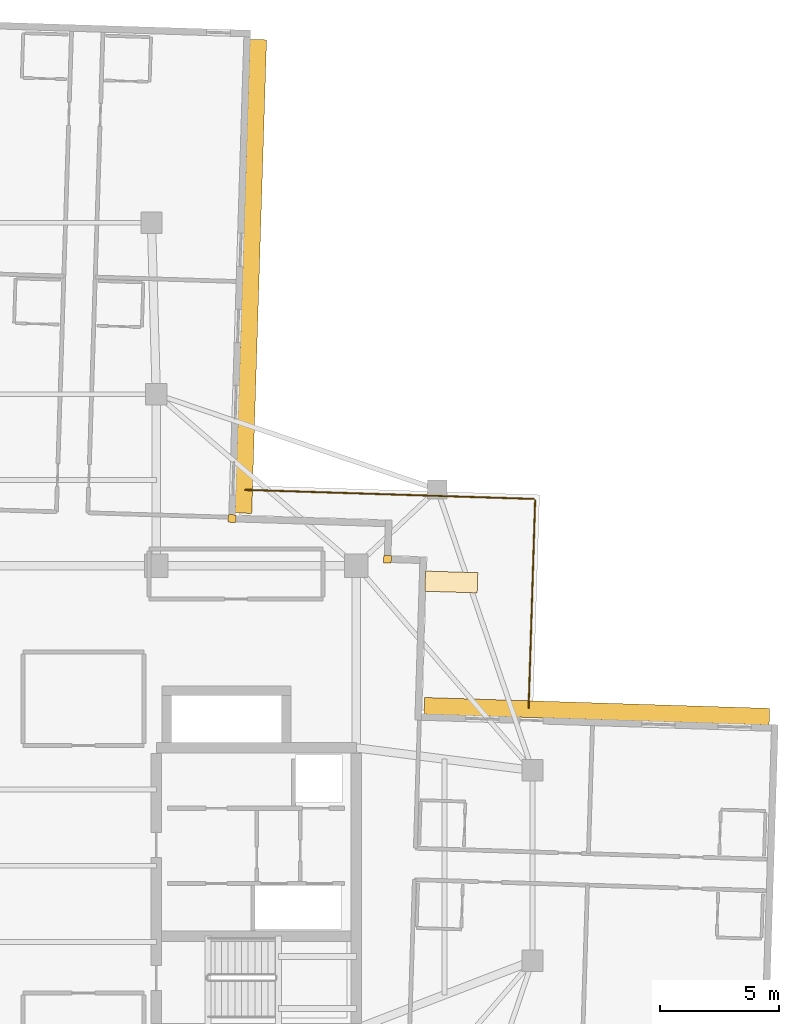
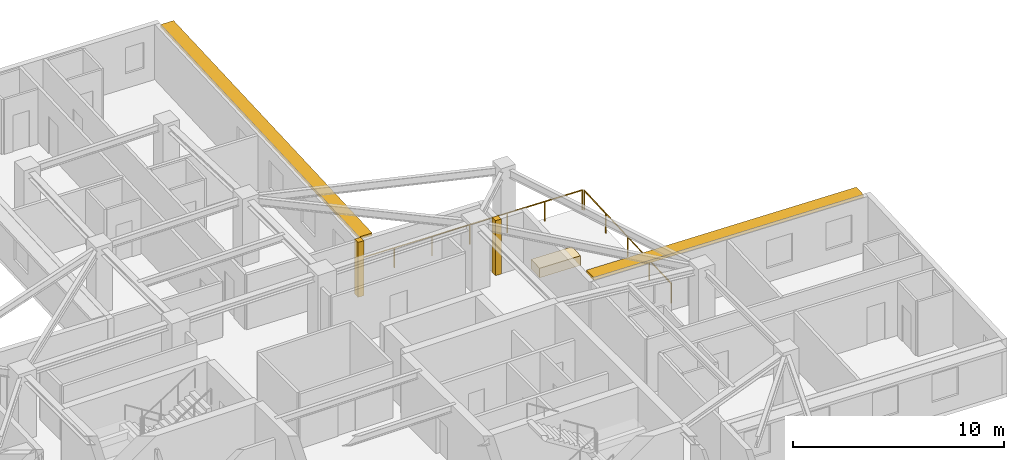
# One storey, part 12 of 12: 3 coverings, 2 railings, 2 shading devices.
"""IFC4 building model written with IfcOpenShell, lengths in metres."""

import ifcopenshell
import ifcopenshell.guid

model = None  # the IFC model being written
_history = None  # IfcOwnerHistory: only IFC2X3 demands one
_inside = {}  # id of a spatial element -> (the spatial element, [elements in it])
_under = {}  # id of a project, library or spatial element -> (it, [spatial elements below it])
_declared = {}  # id of a project -> (the project, [libraries it declares])
_typed = {}  # id of a type object -> (the type object, [elements of that type])
_made_of = {}  # id of a material, layer set ... -> (it, [elements and type objects made of it])


def new_model(schema):
    """Start an empty IFC model of exactly this schema.

    Asked for "IFC4X3", IfcOpenShell would pick the latest addendum, in which some entities
    have other attributes; the version numbers below select the first issue.
    IFC2X3 requires an IfcOwnerHistory on every rooted entity: one is made here for all.
    """
    global model, _history
    if schema == "IFC4X3":
        model = ifcopenshell.file(schema_version=(4, 3, 0, 0))
    else:
        model = ifcopenshell.file(schema=schema)
    _inside.clear()
    _under.clear()
    _declared.clear()
    _typed.clear()
    _made_of.clear()
    _history = None
    if model.schema == "IFC2X3":
        org = make("IfcOrganization", Name="unknown")
        user = make(
            "IfcPersonAndOrganization",
            ThePerson=make("IfcPerson", FamilyName="unknown"),
            TheOrganization=org,
        )
        app = make(
            "IfcApplication",
            ApplicationDeveloper=org,
            Version="unknown",
            ApplicationFullName="unknown",
            ApplicationIdentifier="unknown",
        )
        _history = make(
            "IfcOwnerHistory",
            OwningUser=user,
            OwningApplication=app,
            ChangeAction="ADDED",
            CreationDate=0,
        )
    return model


def make(cls, **values):
    """One entity of the class cls with the attributes given. An attribute that is None is left unset."""
    return model.create_entity(
        cls, **{name: value for name, value in values.items() if value is not None}
    )


def rooted(cls, **values):
    """An entity with a GlobalId (a new one), such as an element, a storey or a relation."""
    return make(cls, GlobalId=ifcopenshell.guid.new(), OwnerHistory=_history, **values)


def si_unit(unit_type, name, prefix=None):
    """IfcSIUnit, for example si_unit("LENGTHUNIT", "METRE", prefix="MILLI")."""
    return make("IfcSIUnit", UnitType=unit_type, Prefix=prefix, Name=name)


def assignment(units):
    """IfcUnitAssignment: the units of a project."""
    return None if units is None else make("IfcUnitAssignment", Units=units)


def point(xyz):
    """IfcCartesianPoint."""
    return None if xyz is None else make("IfcCartesianPoint", Coordinates=xyz)


def direction(xyz):
    """IfcDirection."""
    return None if xyz is None else make("IfcDirection", DirectionRatios=xyz)


def frame(location, z_axis=None, x_axis=None):
    """IfcAxis2Placement3D, a coordinate frame: its origin and axes. An axis left out is left unset."""
    return make(
        "IfcAxis2Placement3D",
        Location=point(location),
        Axis=direction(z_axis),
        RefDirection=direction(x_axis),
    )


def frame_2d(location, x_axis=None):
    """IfcAxis2Placement2D, a coordinate frame in the plane: its origin and x axis."""
    return make(
        "IfcAxis2Placement2D", Location=point(location), RefDirection=direction(x_axis)
    )


def origin():
    """The frame at (0, 0, 0) with its axes left unset."""
    return frame((0.0, 0.0, 0.0))


def origin_2d():
    """The frame at (0, 0) in the plane with its x axis left unset."""
    return frame_2d((0.0, 0.0))


def place(relative_to, where):
    """IfcLocalPlacement: puts the frame where relative to a parent placement (None: the world)."""
    return make(
        "IfcLocalPlacement", PlacementRelTo=relative_to, RelativePlacement=where
    )


def context(
    kind, dimensions, precision=None, world=None, true_north=None, identifier=None
):
    """IfcGeometricRepresentationContext, for example the 3D "Model" context."""
    return make(
        "IfcGeometricRepresentationContext",
        ContextIdentifier=identifier,
        ContextType=kind,
        CoordinateSpaceDimension=dimensions,
        Precision=precision,
        WorldCoordinateSystem=world,
        TrueNorth=true_north,
    )


def subcontext(parent, identifier, kind, view, scale=None):
    """IfcGeometricRepresentationSubContext, for example "Body" below "Model"."""
    return make(
        "IfcGeometricRepresentationSubContext",
        ContextIdentifier=identifier,
        ContextType=kind,
        ParentContext=parent,
        TargetScale=scale,
        TargetView=view,
    )


def project(units=None, contexts=None):
    """IfcProject with its units and contexts."""
    return rooted(
        "IfcProject",
        Name="project",
        RepresentationContexts=contexts,
        UnitsInContext=assignment(units),
    )


def spatial(cls, under=None, at=None, **own):
    """A site, building, storey or space (cls), placed at a placement, below another one or the project."""
    s = rooted(cls, ObjectPlacement=at, **own)
    if under is not None:
        _under.setdefault(under.id(), (under, []))[1].append(s)
    return s


def profile(cls, at=None, kind="AREA", **sizes):
    """A parametric profile (cls). Its sizes go by their IFC names, for example OverallWidth=200.0."""
    return make(cls, ProfileType=kind, Position=at, **sizes)


def rectangle(**sizes):
    """IfcRectangleProfileDef."""
    return profile("IfcRectangleProfileDef", **sizes)


def circle(**sizes):
    """IfcCircleProfileDef."""
    return profile("IfcCircleProfileDef", **sizes)


def extrude(swept, where, along, depth):
    """IfcExtrudedAreaSolid: the profile swept, set in the frame where, extruded along a direction by depth."""
    return make(
        "IfcExtrudedAreaSolid",
        SweptArea=swept,
        Position=where,
        ExtrudedDirection=direction(along),
        Depth=depth,
    )


def shape(context_of_items, identifier, shape_type, items):
    """IfcShapeRepresentation: the items that make up one representation, for example the "Body"."""
    return make(
        "IfcShapeRepresentation",
        ContextOfItems=context_of_items,
        RepresentationIdentifier=identifier,
        RepresentationType=shape_type,
        Items=items,
    )


def material(Name=None, Category=None):
    """IfcMaterial."""
    return make("IfcMaterial", Name=Name, Category=Category)


def layer(
    of_material, thickness, ventilated=None, Name=None, Category=None, Priority=None
):
    """IfcMaterialLayer: one layer of a wall or slab, of a material (None: an air gap)."""
    return make(
        "IfcMaterialLayer",
        Material=of_material,
        LayerThickness=thickness,
        IsVentilated=ventilated,
        Name=Name,
        Category=Category,
        Priority=Priority,
    )


def layer_set(layers, Name=None):
    """IfcMaterialLayerSet."""
    return make("IfcMaterialLayerSet", MaterialLayers=layers, LayerSetName=Name)


def made_of(thing, what):
    """Note that an element or type object is made of a material, layer set ...; save() writes the relation."""
    if what is not None:
        _made_of.setdefault(what.id(), (what, []))[1].append(thing)
    return thing


def type_object(cls, material=None, **own):
    """A type object (cls), such as IfcWallType, which elements share."""
    return made_of(rooted(cls, **own), material)


def element(
    cls,
    number,
    at=None,
    inside=None,
    cuts=None,
    type_object=None,
    material=None,
    context=None,
    identifier="Body",
    shape_type=None,
    held_by="IfcProductDefinitionShape",
    body=None,
    shapes=None,
    **own,
):
    """One element of the class cls, such as IfcWall. Its Tag is "e" and its number.

    at: its placement. inside: the storey or other place that contains it. cuts: it is an
    opening in that element (IfcRelVoidsElement). A single representation is given by context,
    identifier, shape_type and body (its items); several are given by shapes. held_by: the class
    of the entity that holds the representations. save() writes the other relations.
    """
    e = rooted(cls, Tag="e%d" % number, ObjectPlacement=at, **own)
    if body is not None:
        shapes = [shape(context, identifier, shape_type, body)]
    if shapes is not None:
        e.Representation = make(held_by, Representations=shapes)
    if inside is not None:
        _inside.setdefault(inside.id(), (inside, []))[1].append(e)
    if cuts is not None:
        rooted(
            "IfcRelVoidsElement", RelatingBuildingElement=cuts, RelatedOpeningElement=e
        )
    if type_object is not None:
        _typed.setdefault(type_object.id(), (type_object, []))[1].append(e)
    return made_of(e, material)


def aggregate(whole, parts):
    """IfcRelAggregates: a whole, such as a stair, and the parts it consists of."""
    return rooted("IfcRelAggregates", RelatingObject=whole, RelatedObjects=parts)


def save(model, path):
    """Write the relations noted so far, then the file.

    IfcRelAggregates (storeys below a building ...), IfcRelContainedInSpatialStructure (elements
    in a storey), IfcRelDefinesByType, IfcRelAssociatesMaterial and IfcRelDeclares: one each for
    every whole, place, type object, material and project.
    """
    for whole, parts in _under.values():
        aggregate(whole, parts)
    for where, things in _inside.values():
        rooted(
            "IfcRelContainedInSpatialStructure",
            RelatedElements=things,
            RelatingStructure=where,
        )
    for kind, things in _typed.values():
        rooted("IfcRelDefinesByType", RelatedObjects=things, RelatingType=kind)
    for what, things in _made_of.values():
        rooted("IfcRelAssociatesMaterial", RelatedObjects=things, RelatingMaterial=what)
    for by, libraries in _declared.values():
        rooted("IfcRelDeclares", RelatingContext=by, RelatedDefinitions=libraries)
    model.write(path)


model = new_model("IFC4")

# Units and contexts
model_context = context("Model", 3, precision=1e-05, world=origin(), true_north=direction((0.0, 1.0)))
body_context = subcontext(model_context, "Body", "Model", "MODEL_VIEW")
ifc_project = project(units=[si_unit("LENGTHUNIT", "METRE"), si_unit("AREAUNIT", "SQUARE_METRE"), si_unit("VOLUMEUNIT", "CUBIC_METRE"), si_unit("PLANEANGLEUNIT", "RADIAN"), si_unit("MASSUNIT", "GRAM", prefix="KILO")], contexts=[model_context])

# Site, building, storey
site_placement = place(None, origin())
site = spatial("IfcSite", under=ifc_project, at=site_placement, CompositionType="ELEMENT")
building_placement = place(site_placement, origin())
building = spatial("IfcBuilding", under=site, at=building_placement, Name="Qingluan Cross Belvedere", CompositionType="ELEMENT")
storey_placement = place(building_placement, frame((0.0, 0.0, 232.5)))
storey = spatial("IfcBuildingStorey", under=building, at=storey_placement, Name="L58", CompositionType="ELEMENT", Elevation=232.5)

# Coverings
ifc_material_1 = material(Name="Precast concrete C45", Category="concrete")
ifc_layer_1 = layer(ifc_material_1, 0.1201171875, Name="ConcreteSpandrelCladding_120")
ifc_layer_set_1 = layer_set([ifc_layer_1], Name="Precast concrete C45")
covering_type_1 = type_object("IfcCoveringType", Name="ConcreteSpandrelCladding_120", PredefinedType="CLADDING", material=ifc_layer_set_1)
for number, where, z_axis, x_axis, name in (
    (1, (13.711181640625, 12.875732421875, 0.0), (0.0, 0.0, 1.0), (0.999506560366, -0.031410759078, 0.0), "Corner closure L58-NE1"),
    (2, (7.181640625, 14.58154296875, 0.0), (0.0, 0.0, 1.0), (0.999506560366, -0.031410759078, 0.0), "Corner closure L58-NE2"),
):
    element("IfcCovering", number, at=place(storey_placement, frame(where, z_axis=z_axis, x_axis=x_axis)), inside=storey, type_object=covering_type_1, Name=name, PredefinedType="CLADDING", context=body_context, shape_type="SweptSolid", body=[
        extrude(rectangle(XDim=0.320068359375, YDim=0.320068359375, at=origin_2d()), origin(), (0.0, 0.0, 1.0), 3.179931640625),
    ])

# Shading devices
ifc_material_2 = material(Name="Precast concrete C45", Category="concrete")
ifc_layer_2 = layer(ifc_material_2, 0.139892578125, Name="ConcreteSunshadeBand_700")
ifc_layer_set_2 = layer_set([ifc_layer_2], Name="Precast concrete C45")
shading_device_type = type_object("IfcShadingDeviceType", Name="ConcreteSunshadeBand_700", PredefinedType="USERDEFINED", material=ifc_layer_set_2)
shading_device_1_placement = place(storey_placement, frame((22.5048828125, 6.486328125, 3.0), z_axis=(0.0, 0.0, 1.0), x_axis=(-0.999506645453, 0.031408051437, 0.0)))
element("IfcShadingDevice", 3, at=shading_device_1_placement, inside=storey, type_object=shading_device_type, Name="Concrete SUNSHADE L58-EB", ObjectType="SUNSHADE", PredefinedType="USERDEFINED", context=body_context, shape_type="SweptSolid", body=[
    extrude(rectangle(XDim=14.5, YDim=0.699951171875, at=origin_2d()), origin(), (0.0, 0.0, 1.0), 0.159912109375),
])
shading_device_2_placement = place(storey_placement, frame((7.971435546875, 24.751708984375, 3.0), z_axis=(0.0, 0.0, 1.0), x_axis=(0.031407934627, 0.999506649124, 0.0)))
element("IfcShadingDevice", 4, at=shading_device_2_placement, inside=storey, type_object=shading_device_type, Name="Concrete SUNSHADE L58-NA", ObjectType="SUNSHADE", PredefinedType="USERDEFINED", context=body_context, shape_type="SweptSolid", body=[
    extrude(rectangle(XDim=19.89990234375, YDim=0.699951171875, at=origin_2d()), origin(), (0.0, 0.0, 1.0), 0.159912109375),
])

# Railings
ifc_material_3 = material(Name="Laminated glass and stainless steel balustrade", Category="steel")
railing_type = type_object("IfcRailingType", Name="TerraceGuardBalustrade_1150", PredefinedType="BALUSTRADE", material=ifc_material_3)
railing_1_placement = place(storey_placement, frame((7.739501953125, 15.78466796875, 0.0)))
element("IfcRailing", 5, at=railing_1_placement, inside=storey, type_object=railing_type, Name="Terrace guard L58-1", PredefinedType="BALUSTRADE", context=body_context, shape_type="SweptSolid", body=[
    extrude(circle(Radius=0.02392578125, at=origin_2d()), frame((0.0, 0.0, 1.1259765625), z_axis=(0.999506795162, -0.031403286853, 0.0), x_axis=(0.031403286853, 0.999506795162, 0.0)), (0.0, 0.0, 1.0), 12.1201171875),
    extrude(circle(Radius=0.02099609375, at=origin_2d()), origin(), (0.0, 0.0, 1.0), 1.101806640625),
    extrude(circle(Radius=0.02099609375, at=origin_2d()), frame((2.01904296875, -0.0634765625, 0.0)), (0.0, 0.0, 1.0), 1.101806640625),
    extrude(circle(Radius=0.02099609375, at=origin_2d()), frame((4.0380859375, -0.126953125, 0.0)), (0.0, 0.0, 1.0), 1.101806640625),
    extrude(circle(Radius=0.02099609375, at=origin_2d()), frame((6.05712890625, -0.1904296875, 0.0)), (0.0, 0.0, 1.0), 1.101806640625),
    extrude(circle(Radius=0.02099609375, at=origin_2d()), frame((8.076171875, -0.253662109375, 0.0)), (0.0, 0.0, 1.0), 1.101806640625),
    extrude(circle(Radius=0.02099609375, at=origin_2d()), frame((10.09521484375, -0.317138671875, 0.0)), (0.0, 0.0, 1.0), 1.101806640625),
    extrude(circle(Radius=0.02099609375, at=origin_2d()), frame((12.1142578125, -0.380615234375, 0.0)), (0.0, 0.0, 1.0), 1.101806640625),
])
railing_2_placement = place(storey_placement, frame((19.91162109375, 15.34228515625, 0.0)))
element("IfcRailing", 6, at=railing_2_placement, inside=storey, type_object=railing_type, Name="Terrace guard L58-2", PredefinedType="BALUSTRADE", context=body_context, shape_type="SweptSolid", body=[
    extrude(circle(Radius=0.02392578125, at=origin_2d()), frame((0.0, 0.0, 1.1259765625), z_axis=(-0.031413061052, -0.999506488021, 0.0), x_axis=(0.999506488021, -0.031413061052, 0.0)), (0.0, 0.0, 1.0), 8.72021484375),
    extrude(circle(Radius=0.02099609375, at=origin_2d()), origin(), (0.0, 0.0, 1.0), 1.101806640625),
    extrude(circle(Radius=0.02099609375, at=origin_2d()), frame((-0.068359375, -2.178955078125, 0.0)), (0.0, 0.0, 1.0), 1.101806640625),
    extrude(circle(Radius=0.02099609375, at=origin_2d()), frame((-0.136962890625, -4.35791015625, 0.0)), (0.0, 0.0, 1.0), 1.101806640625),
    extrude(circle(Radius=0.02099609375, at=origin_2d()), frame((-0.20556640625, -6.536865234375, 0.0)), (0.0, 0.0, 1.0), 1.101806640625),
    extrude(circle(Radius=0.02099609375, at=origin_2d()), frame((-0.27392578125, -8.7158203125, 0.0)), (0.0, 0.0, 1.0), 1.101806640625),
])

# Covering
ifc_material_4 = material(Name="Precast concrete C40", Category="concrete")
ifc_layer_3 = layer(ifc_material_4, 0.550048828125, Name="TerracePlanterBox")
ifc_layer_set_3 = layer_set([ifc_layer_3], Name="Precast concrete C40")
covering_type_2 = type_object("IfcCoveringType", Name="TerracePlanterBox", PredefinedType="USERDEFINED", material=ifc_layer_set_3)
covering_placement = place(storey_placement, frame((16.39208984375, 11.916015625, 0.0), z_axis=(0.0, 0.0, 1.0), x_axis=(0.999506560366, -0.031410759078, 0.0)))
element("IfcCovering", 7, at=covering_placement, inside=storey, type_object=covering_type_2, Name="Spiralling winter-garden planter L58", ObjectType="PLANTER", PredefinedType="USERDEFINED", context=body_context, shape_type="SweptSolid", body=[
    extrude(rectangle(XDim=2.199951171875, YDim=0.85009765625, at=origin_2d()), origin(), (0.0, 0.0, 1.0), 0.550048828125),
])

save(model, "model.ifc")
